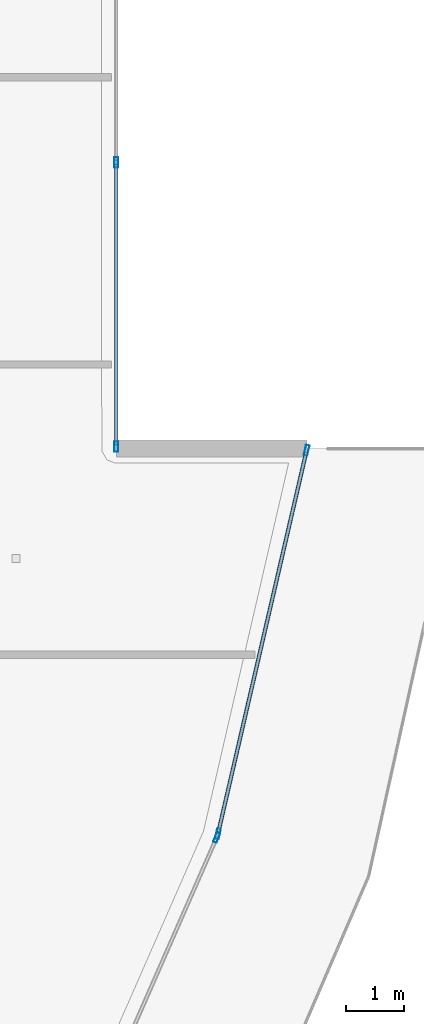
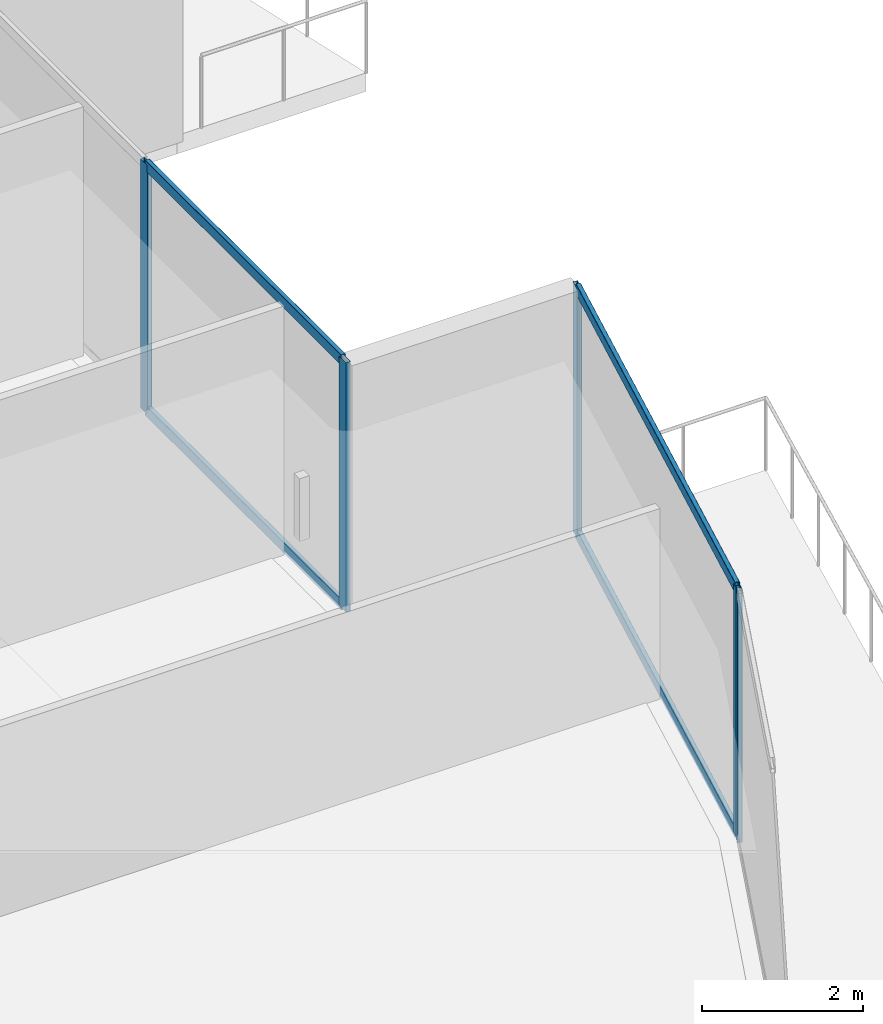
# One storey, part 10 of 35: 9 members, 3 elements without a shape of their own.
"""IFC4 building model written with IfcOpenShell, lengths in metres."""

from ifc_helpers import new_model, si_unit, direction, frame, origin, origin_2d, place, context, subcontext, project, spatial, hollow_rectangle, extrude, material, layer, layer_set, material_profile, profile_set, type_object, element, aggregate, save


model = new_model("IFC4")

# Units and contexts
model_context = context("Model", 3, precision=1e-05, world=origin(), true_north=direction((0.0, 1.0)))
body_context = subcontext(model_context, "Body", "Model", "MODEL_VIEW")
ifc_project = project(units=[si_unit("LENGTHUNIT", "METRE"), si_unit("AREAUNIT", "SQUARE_METRE"), si_unit("VOLUMEUNIT", "CUBIC_METRE"), si_unit("PLANEANGLEUNIT", "RADIAN"), si_unit("MASSUNIT", "GRAM", prefix="KILO")], contexts=[model_context])

# Site, building, storey
site_placement = place(None, origin())
site = spatial("IfcSite", under=ifc_project, at=site_placement, CompositionType="ELEMENT")
building_placement = place(site_placement, origin())
building = spatial("IfcBuilding", under=site, at=building_placement, Name="Qorvath Tower", CompositionType="ELEMENT")
storey_placement = place(building_placement, frame((0.0, 0.0, 130.050048828125)))
storey = spatial("IfcBuildingStorey", under=building, at=storey_placement, Name="L29", CompositionType="ELEMENT", Elevation=130.050048828125)

# Curtain wall, member
ifc_material_1 = material(Name="Anodised aluminium and triple low-E glass", Category="aluminium")
ifc_layer = layer(ifc_material_1, 0.179931640625)
ifc_layer_set = layer_set([ifc_layer], Name="CW-SYS-2")
curtain_wall_type = type_object("IfcCurtainWallType", Name="CW-SYS-2", PredefinedType="NOTDEFINED", material=ifc_layer_set)
curtain_wall_1_placement = place(storey_placement, origin())
curtain_wall_1 = element("IfcCurtainWall", 1, at=curtain_wall_1_placement, inside=storey, type_object=curtain_wall_type, Name="Curtain Wall CW-2 CW-T-L29-6.1", PredefinedType="NOTDEFINED")
ifc_material_2 = material(Name="Anodised aluminium 6063-T6", Category="aluminium")
ifc_material_profile_1 = material_profile(ifc_material_2, hollow_rectangle(XDim=0.06494140625, YDim=0.179931640625, WallThickness=0.00341796875, InnerFilletRadius=0.00341796875, OuterFilletRadius=0.007080078125, at=origin_2d()), Name="CWM 180x65")
ifc_profile_set_1 = profile_set([ifc_material_profile_1], Name="Anodised aluminium 6063-T6")
member_type_1 = type_object("IfcMemberType", Name="CWM-180", PredefinedType="MULLION", material=ifc_profile_set_1)
member_1_placement = place(storey_placement, frame((3.13134765625, -11.721923828125, 0.0), z_axis=(0.0, 0.0, 1.0), x_axis=(-0.915793818987, 0.401648703602, 0.0)))
member_1 = element("IfcMember", 2, at=member_1_placement, type_object=member_type_1, Name="CW-2 mullion 2", PredefinedType="MULLION", context=body_context, shape_type="SweptSolid", body=[
    extrude(hollow_rectangle(XDim=0.06494140625, YDim=0.179931640625, WallThickness=0.00341796875, InnerFilletRadius=0.00341796875, OuterFilletRadius=0.007080078125, at=origin_2d()), origin(), (0.0, 0.0, 1.0), 3.780029296875),
])
aggregate(curtain_wall_1, [member_1])

# Curtain wall, members
curtain_wall_2_placement = place(storey_placement, origin())
curtain_wall_2 = element("IfcCurtainWall", 3, at=curtain_wall_2_placement, inside=storey, type_object=curtain_wall_type, Name="Curtain Wall CW-2 CW-T-L29-7.1", PredefinedType="NOTDEFINED")
member_2_placement = place(storey_placement, frame((3.151611328125, -11.660400390625, 0.0), z_axis=(0.0, 0.0, 1.0), x_axis=(-0.974296356855, 0.225270080166, 0.0)))
member_2 = element("IfcMember", 4, at=member_2_placement, type_object=member_type_1, Name="CW-2 mullion 1", PredefinedType="MULLION", context=body_context, shape_type="SweptSolid", body=[
    extrude(hollow_rectangle(XDim=0.06494140625, YDim=0.179931640625, WallThickness=0.00341796875, InnerFilletRadius=0.00341796875, OuterFilletRadius=0.007080078125, at=origin_2d()), origin(), (0.0, 0.0, 1.0), 3.780029296875),
])
member_3_placement = place(storey_placement, frame((4.691650390625, -4.999755859375, 0.0), z_axis=(0.0, 0.0, 1.0), x_axis=(-0.974296356855, 0.225270080166, 0.0)))
member_3 = element("IfcMember", 5, at=member_3_placement, type_object=member_type_1, Name="CW-2 mullion 2", PredefinedType="MULLION", context=body_context, shape_type="SweptSolid", body=[
    extrude(hollow_rectangle(XDim=0.06494140625, YDim=0.179931640625, WallThickness=0.00341796875, InnerFilletRadius=0.00341796875, OuterFilletRadius=0.007080078125, at=origin_2d()), origin(), (0.0, 0.0, 1.0), 3.780029296875),
])

curtain_wall_3_placement = place(storey_placement, origin())
curtain_wall_3 = element("IfcCurtainWall", 6, at=curtain_wall_3_placement, inside=storey, type_object=curtain_wall_type, Name="Curtain Wall CW-2 CW-T-L29-9.1", PredefinedType="NOTDEFINED")
member_4_placement = place(storey_placement, frame((1.386962890625, -4.935546875, 0.0), z_axis=(0.0, 0.0, 1.0), x_axis=(-1.0, 0.0, 0.0)))
member_4 = element("IfcMember", 7, at=member_4_placement, type_object=member_type_1, Name="CW-2 mullion 1", PredefinedType="MULLION", context=body_context, shape_type="SweptSolid", body=[
    extrude(hollow_rectangle(XDim=0.06494140625, YDim=0.179931640625, WallThickness=0.00341796875, InnerFilletRadius=0.00341796875, OuterFilletRadius=0.007080078125, at=origin_2d()), origin(), (0.0, 0.0, 1.0), 3.780029296875),
])
member_5_placement = place(storey_placement, frame((1.386962890625, 0.0, 0.0), z_axis=(0.0, 0.0, 1.0), x_axis=(-1.0, 0.0, 0.0)))
member_5 = element("IfcMember", 8, at=member_5_placement, type_object=member_type_1, Name="CW-2 mullion 2", PredefinedType="MULLION", context=body_context, shape_type="SweptSolid", body=[
    extrude(hollow_rectangle(XDim=0.06494140625, YDim=0.179931640625, WallThickness=0.00341796875, InnerFilletRadius=0.00341796875, OuterFilletRadius=0.007080078125, at=origin_2d()), origin(), (0.0, 0.0, 1.0), 3.780029296875),
])

# Member
ifc_material_3 = material(Name="Anodised aluminium 6063-T6", Category="aluminium")
ifc_material_profile_2 = material_profile(ifc_material_3, hollow_rectangle(XDim=0.06494140625, YDim=0.159912109375, WallThickness=0.00341796875, InnerFilletRadius=0.00341796875, OuterFilletRadius=0.007080078125, at=origin_2d()), Name="CWT 160x65")
ifc_profile_set_2 = profile_set([ifc_material_profile_2], Name="Anodised aluminium 6063-T6")
member_type_2 = type_object("IfcMemberType", Name="CWT-160", PredefinedType="USERDEFINED", material=ifc_profile_set_2)
member_6_placement = place(storey_placement, frame((3.158935546875, -11.628662109375, 0.032470703125), z_axis=(0.22526763041, 0.974296923268, 0.0), x_axis=(-0.974296923268, 0.22526763041, 0.0)))
member_6 = element("IfcMember", 9, at=member_6_placement, type_object=member_type_2, Name="CW-2 transom 1.1", ObjectType="TRANSOM", PredefinedType="USERDEFINED", context=body_context, shape_type="SweptSolid", body=[
    extrude(hollow_rectangle(XDim=0.06494140625, YDim=0.159912109375, WallThickness=0.00341796875, InnerFilletRadius=0.00341796875, OuterFilletRadius=0.007080078125, at=origin_2d()), origin(), (0.0, 0.0, 1.0), 6.771484375),
])

member_7_placement = place(storey_placement, frame((3.158935546875, -11.628662109375, 3.74755859375), z_axis=(0.22526763041, 0.974296923268, 0.0), x_axis=(-0.974296923268, 0.22526763041, 0.0)))
member_7 = element("IfcMember", 10, at=member_7_placement, type_object=member_type_2, Name="CW-2 transom 1.2", ObjectType="TRANSOM", PredefinedType="USERDEFINED", context=body_context, shape_type="SweptSolid", body=[
    extrude(hollow_rectangle(XDim=0.06494140625, YDim=0.159912109375, WallThickness=0.00341796875, InnerFilletRadius=0.00341796875, OuterFilletRadius=0.007080078125, at=origin_2d()), origin(), (0.0, 0.0, 1.0), 6.771484375),
])

aggregate(curtain_wall_2, [member_2, member_3, member_6, member_7])

member_8_placement = place(storey_placement, frame((1.386962890625, -4.903076171875, 0.032470703125), z_axis=(0.0, 1.0, 0.0), x_axis=(-1.0, 0.0, 0.0)))
member_8 = element("IfcMember", 11, at=member_8_placement, type_object=member_type_2, Name="CW-2 transom 1.1", ObjectType="TRANSOM", PredefinedType="USERDEFINED", context=body_context, shape_type="SweptSolid", body=[
    extrude(hollow_rectangle(XDim=0.06494140625, YDim=0.159912109375, WallThickness=0.00341796875, InnerFilletRadius=0.00341796875, OuterFilletRadius=0.007080078125, at=origin_2d()), origin(), (0.0, 0.0, 1.0), 4.87060546875),
])

member_9_placement = place(storey_placement, frame((1.386962890625, -4.903076171875, 3.74755859375), z_axis=(0.0, 1.0, 0.0), x_axis=(-1.0, 0.0, 0.0)))
member_9 = element("IfcMember", 12, at=member_9_placement, type_object=member_type_2, Name="CW-2 transom 1.2", ObjectType="TRANSOM", PredefinedType="USERDEFINED", context=body_context, shape_type="SweptSolid", body=[
    extrude(hollow_rectangle(XDim=0.06494140625, YDim=0.159912109375, WallThickness=0.00341796875, InnerFilletRadius=0.00341796875, OuterFilletRadius=0.007080078125, at=origin_2d()), origin(), (0.0, 0.0, 1.0), 4.87060546875),
])

aggregate(curtain_wall_3, [member_4, member_5, member_8, member_9])

save(model, "model.ifc")
